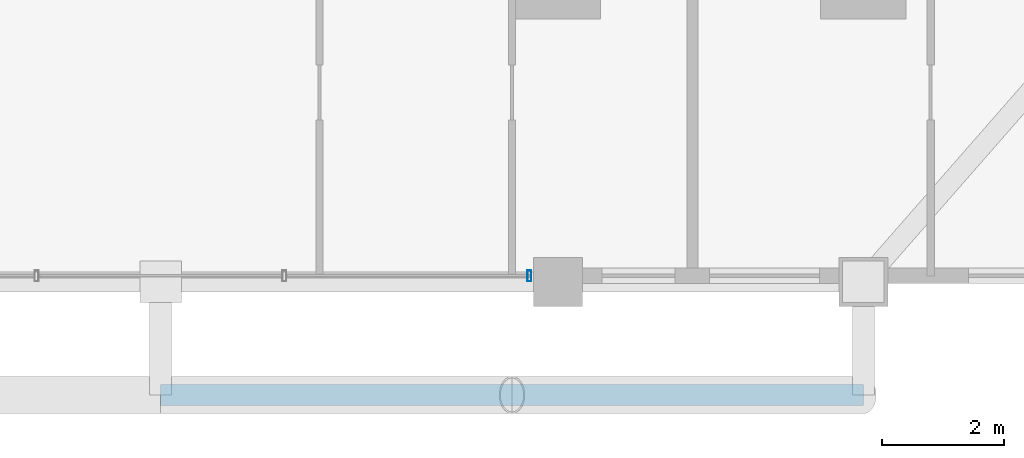
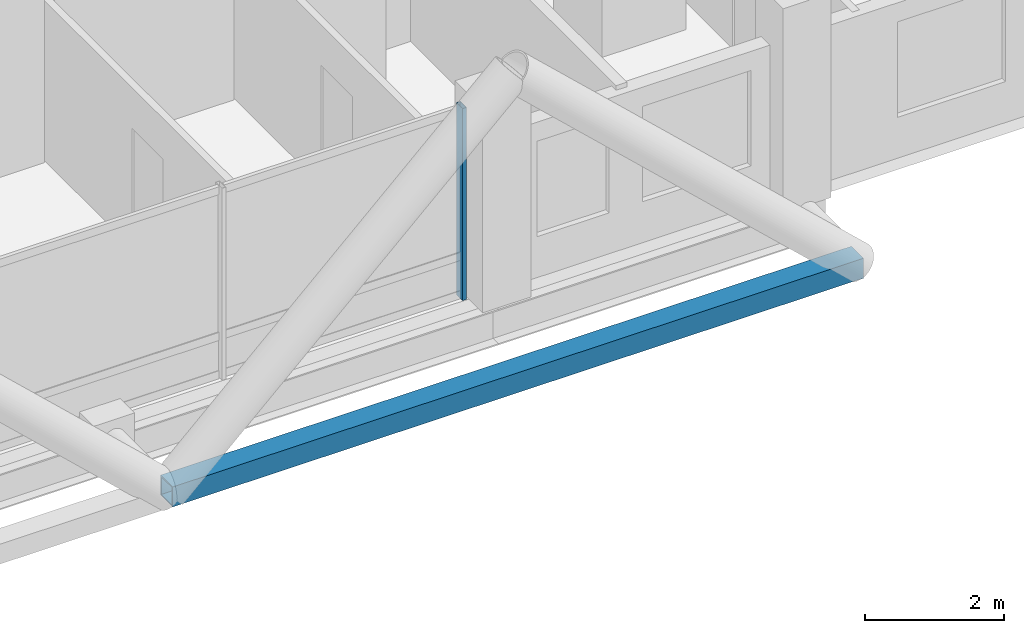
# One storey, part 4 of 28: 2 members, 1 element without a shape of its own.
"""IFC4 building model written with IfcOpenShell, lengths in metres."""

from ifc_helpers import new_model, si_unit, direction, frame, origin, origin_2d, place, context, subcontext, project, spatial, hollow_rectangle, extrude, material, layer, layer_set, material_profile, profile_set, type_object, element, aggregate, save


model = new_model("IFC4")

# Units and contexts
model_context = context("Model", 3, precision=1e-05, world=origin(), true_north=direction((0.0, 1.0)))
body_context = subcontext(model_context, "Body", "Model", "MODEL_VIEW")
ifc_project = project(units=[si_unit("LENGTHUNIT", "METRE"), si_unit("AREAUNIT", "SQUARE_METRE"), si_unit("VOLUMEUNIT", "CUBIC_METRE"), si_unit("PLANEANGLEUNIT", "RADIAN"), si_unit("MASSUNIT", "GRAM", prefix="KILO")], contexts=[model_context])

# Site, building, storey
site_placement = place(None, origin())
site = spatial("IfcSite", under=ifc_project, at=site_placement, CompositionType="ELEMENT")
building_placement = place(site_placement, origin())
building = spatial("IfcBuilding", under=site, at=building_placement, Name="Barlavira Tower and Art Museum", CompositionType="ELEMENT")
storey_placement = place(building_placement, frame((0.0, 0.0, 39.60009765625)))
storey = spatial("IfcBuildingStorey", under=building, at=storey_placement, Name="L08", CompositionType="ELEMENT", Elevation=39.60009765625)

# Curtain wall, member
ifc_material_1 = material(Name="Low-iron coastal laminated glass", Category="glass")
ifc_layer = layer(ifc_material_1, 0.179931640625, Name="Low-iron coastal laminated glass")
ifc_layer_set = layer_set([ifc_layer], Name="Low-iron coastal laminated glass")
curtain_wall_type = type_object("IfcCurtainWallType", Name="Pale-Metal Unitised Curtain Wall Zone 1", PredefinedType="NOTDEFINED", material=ifc_layer_set)
curtain_wall_placement = place(storey_placement, origin())
curtain_wall = element("IfcCurtainWall", 1, at=curtain_wall_placement, inside=storey, type_object=curtain_wall_type, Name="L08 Curtain Wall CW1-L08-S-B3", PredefinedType="NOTDEFINED")
ifc_material_2 = material(Name="Pale anodised aluminium", Category="aluminium")
ifc_material_profile_1 = material_profile(ifc_material_2, hollow_rectangle(XDim=0.06494140625, YDim=0.179931640625, WallThickness=0.00390625, at=origin_2d()), Name="ALU-MULL 65x180x4")
ifc_profile_set_1 = profile_set([ifc_material_profile_1], Name="Pale anodised aluminium")
member_type_1 = type_object("IfcMemberType", Name="Curtain Wall Pale-Metal Mullion 65x180", PredefinedType="MULLION", material=ifc_profile_set_1)
member_1_placement = place(storey_placement, frame((6.034912109375, -24.89990234375, 0.0), z_axis=(0.0, 0.0, 1.0), x_axis=(1.0, 0.0, 0.0)))
member_1 = element("IfcMember", 2, at=member_1_placement, type_object=member_type_1, Name="CW1-L08-S-B3 Mullion 3", PredefinedType="MULLION", context=body_context, shape_type="SweptSolid", body=[
    extrude(hollow_rectangle(XDim=0.06494140625, YDim=0.179931640625, WallThickness=0.00390625, at=origin_2d()), origin(), (0.0, 0.0, 1.0), 3.3798828125),
])
aggregate(curtain_wall, [member_1])

# Member
ifc_material_3 = material(Name="Steel S355", Category="steel")
ifc_material_profile_2 = material_profile(ifc_material_3, hollow_rectangle(XDim=0.35009765625, YDim=0.35009765625, WallThickness=0.02001953125, at=origin_2d()), Name="SHS 350x350x20.0")
ifc_profile_set_2 = profile_set([ifc_material_profile_2], Name="Steel S355")
member_type_2 = type_object("IfcMemberType", Name="Pale-Metal Exoskeleton Ring Strut SHS 350x350x20 Steel S355", PredefinedType="STRUT", material=ifc_profile_set_2)
member_2_placement = place(storey_placement, frame((0.0, -26.85009765625, -0.1201171875), z_axis=(1.0, 0.0, 0.0), x_axis=(0.0, 1.0, 0.0)))
element("IfcMember", 3, at=member_2_placement, inside=storey, type_object=member_type_2, Name="L08 Exoskeleton Ring Strut S", PredefinedType="STRUT", context=body_context, shape_type="SweptSolid", body=[
    extrude(hollow_rectangle(XDim=0.35009765625, YDim=0.35009765625, WallThickness=0.02001953125, at=origin_2d()), origin(), (0.0, 0.0, 1.0), 11.5),
])

save(model, "model.ifc")
